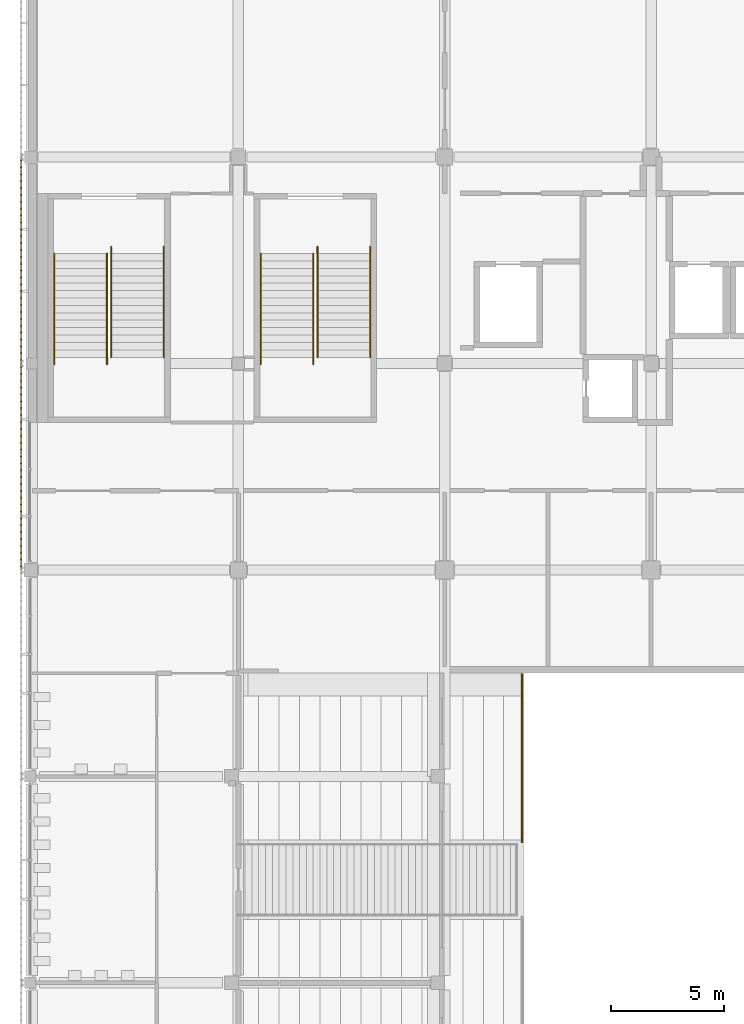
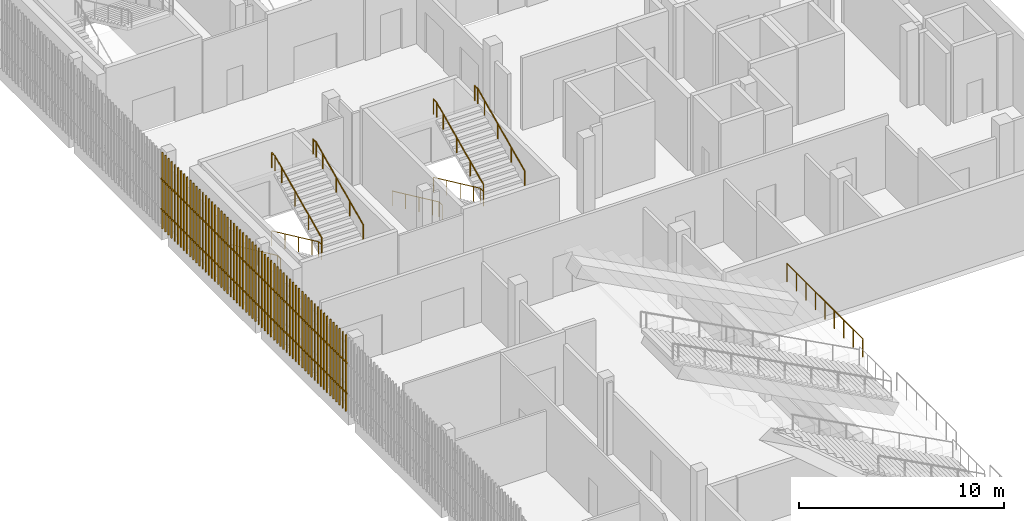
# One storey, part 122 of 139: 9 railings, 2 shading devices.
"""IFC4 building model written with IfcOpenShell, lengths in metres."""

from ifc_helpers import new_model, si_unit, direction, frame, origin, origin_2d, place, context, subcontext, project, spatial, rectangle, circle, extrude, material, type_object, element, save


model = new_model("IFC4")

# Units and contexts
model_context = context("Model", 3, precision=1e-05, world=origin(), true_north=direction((0.0, 1.0)))
body_context = subcontext(model_context, "Body", "Model", "MODEL_VIEW")
ifc_project = project(units=[si_unit("LENGTHUNIT", "METRE"), si_unit("AREAUNIT", "SQUARE_METRE"), si_unit("VOLUMEUNIT", "CUBIC_METRE"), si_unit("PLANEANGLEUNIT", "RADIAN"), si_unit("MASSUNIT", "GRAM", prefix="KILO")], contexts=[model_context])

# Site, building, storey
site_placement = place(None, origin())
site = spatial("IfcSite", under=ifc_project, at=site_placement, CompositionType="ELEMENT")
building_placement = place(site_placement, origin())
building = spatial("IfcBuilding", under=site, at=building_placement, Name="Shirokan Park Arena", CompositionType="ELEMENT")
storey_placement = place(building_placement, frame((0.0, 0.0, 15.469970703125)))
storey = spatial("IfcBuildingStorey", under=building, at=storey_placement, Name="L03", CompositionType="ELEMENT", Elevation=15.469970703125)

# Railings
ifc_material_1 = material(Name="Stainless steel", Category="steel")
railing_type_1 = type_object("IfcRailingType", Name="Crowd barrier 1100", PredefinedType="GUARDRAIL", material=ifc_material_1)
railing_1_placement = place(storey_placement, frame((21.60009765625, 60.800048828125, 2.860107421875)))
element("IfcRailing", 1, at=railing_1_placement, inside=storey, type_object=railing_type_1, Name="Crowd barrier W3 upper tier", PredefinedType="GUARDRAIL", context=body_context, shape_type="SweptSolid", body=[
    extrude(circle(Radius=0.030029296875, at=origin_2d()), frame((0.0, 0.0, 1.072021484375), z_axis=(0.0, 1.0, 0.0), x_axis=(-1.0, 0.0, 0.0)), (0.0, 0.0, 1.0), 7.39990234375),
    extrude(circle(Radius=0.030029296875, at=origin_2d()), origin(), (0.0, 0.0, 1.0), 1.0419921875),
    extrude(circle(Radius=0.030029296875, at=origin_2d()), frame((0.0, 0.925048828125, 0.0)), (0.0, 0.0, 1.0), 1.0419921875),
    extrude(circle(Radius=0.030029296875, at=origin_2d()), frame((0.0, 1.85009765625, 0.0)), (0.0, 0.0, 1.0), 1.0419921875),
    extrude(circle(Radius=0.030029296875, at=origin_2d()), frame((0.0, 2.77490234375, 0.0)), (0.0, 0.0, 1.0), 1.0419921875),
    extrude(circle(Radius=0.030029296875, at=origin_2d()), frame((0.0, 3.699951171875, 0.0)), (0.0, 0.0, 1.0), 1.0419921875),
    extrude(circle(Radius=0.030029296875, at=origin_2d()), frame((0.0, 4.625, 0.0)), (0.0, 0.0, 1.0), 1.0419921875),
    extrude(circle(Radius=0.030029296875, at=origin_2d()), frame((0.0, 5.5498046875, 0.0)), (0.0, 0.0, 1.0), 1.0419921875),
    extrude(circle(Radius=0.030029296875, at=origin_2d()), frame((0.0, 6.474853515625, 0.0)), (0.0, 0.0, 1.0), 1.0419921875),
    extrude(circle(Radius=0.030029296875, at=origin_2d()), frame((0.0, 7.39990234375, 0.0)), (0.0, 0.0, 1.0), 1.0419921875),
])
railing_type_2 = type_object("IfcRailingType", Name="Stair handrail 900", PredefinedType="HANDRAIL", material=ifc_material_1)
railing_2_placement = place(storey_placement, frame((0.989990234375, 86.75, 0.151611328125)))
element("IfcRailing", 2, at=railing_2_placement, inside=storey, type_object=railing_type_2, Name="Handrail Exit Stair 4.E L03 to L04", PredefinedType="HANDRAIL", context=body_context, shape_type="SweptSolid", body=[
    extrude(circle(Radius=0.02392578125, at=origin_2d()), frame((0.0, 0.0, 0.8759765625), z_axis=(0.0, -0.907029769225, 0.421066500378), x_axis=(1.0, 0.0, 0.0)), (0.0, 0.0, 1.0), 1.44091796875),
    extrude(circle(Radius=0.02392578125, at=origin_2d()), frame((0.0, -1.306884765625, 1.482421875), z_axis=(0.0, -0.906999720516, 0.421131222998), x_axis=(1.0, 0.0, 0.0)), (0.0, 0.0, 1.0), 1.440673828125),
    extrude(circle(Radius=0.02392578125, at=origin_2d()), frame((0.0, -2.613525390625, 2.08935546875), z_axis=(0.0, -0.907029769225, 0.421066500378), x_axis=(1.0, 0.0, 0.0)), (0.0, 0.0, 1.0), 1.44091796875),
    extrude(circle(Radius=0.02392578125, at=origin_2d()), frame((0.0, -3.92041015625, 2.69580078125), z_axis=(0.0, -0.906934982928, 0.421270621741), x_axis=(1.0, 0.0, 0.0)), (0.0, 0.0, 1.0), 0.720458984375),
    extrude(circle(Radius=0.02392578125, at=origin_2d()), frame((0.0, -4.57373046875, 2.99951171875), z_axis=(0.0, -1.0, 0.0), x_axis=(1.0, 0.0, 0.0)), (0.0, 0.0, 1.0), 0.300048828125),
    extrude(circle(Radius=0.02099609375, at=origin_2d()), origin(), (0.0, 0.0, 1.0), 0.851806640625),
    extrude(circle(Radius=0.02099609375, at=origin_2d()), frame((0.0, -1.306884765625, 0.606689453125)), (0.0, 0.0, 1.0), 0.851806640625),
    extrude(circle(Radius=0.02099609375, at=origin_2d()), frame((0.0, -2.613525390625, 1.21337890625)), (0.0, 0.0, 1.0), 0.851806640625),
    extrude(circle(Radius=0.02099609375, at=origin_2d()), frame((0.0, -3.92041015625, 1.820068359375)), (0.0, 0.0, 1.0), 0.851806640625),
    extrude(circle(Radius=0.02099609375, at=origin_2d()), frame((0.0, -4.57373046875, 2.12353515625)), (0.0, 0.0, 1.0), 0.851806640625),
    extrude(circle(Radius=0.02099609375, at=origin_2d()), frame((0.0, -4.873779296875, 2.12353515625)), (0.0, 0.0, 1.0), 0.851806640625),
])
railing_3_placement = place(storey_placement, frame((3.31005859375, 86.75, 0.151611328125)))
element("IfcRailing", 3, at=railing_3_placement, inside=storey, type_object=railing_type_2, Name="Handrail Exit Stair 4.E L03 to L04", PredefinedType="HANDRAIL", context=body_context, shape_type="SweptSolid", body=[
    extrude(circle(Radius=0.02392578125, at=origin_2d()), frame((0.0, 0.0, 0.8759765625), z_axis=(0.0, -0.907029769225, 0.421066500378), x_axis=(1.0, 0.0, 0.0)), (0.0, 0.0, 1.0), 1.44091796875),
    extrude(circle(Radius=0.02392578125, at=origin_2d()), frame((0.0, -1.306884765625, 1.482421875), z_axis=(0.0, -0.906999720516, 0.421131222998), x_axis=(1.0, 0.0, 0.0)), (0.0, 0.0, 1.0), 1.440673828125),
    extrude(circle(Radius=0.02392578125, at=origin_2d()), frame((0.0, -2.613525390625, 2.08935546875), z_axis=(0.0, -0.907029769225, 0.421066500378), x_axis=(1.0, 0.0, 0.0)), (0.0, 0.0, 1.0), 1.44091796875),
    extrude(circle(Radius=0.02392578125, at=origin_2d()), frame((0.0, -3.92041015625, 2.69580078125), z_axis=(0.0, -0.906934982928, 0.421270621741), x_axis=(1.0, 0.0, 0.0)), (0.0, 0.0, 1.0), 0.720458984375),
    extrude(circle(Radius=0.02392578125, at=origin_2d()), frame((0.0, -4.57373046875, 2.99951171875), z_axis=(0.0, -1.0, 0.0), x_axis=(1.0, 0.0, 0.0)), (0.0, 0.0, 1.0), 0.300048828125),
    extrude(circle(Radius=0.02099609375, at=origin_2d()), origin(), (0.0, 0.0, 1.0), 0.851806640625),
    extrude(circle(Radius=0.02099609375, at=origin_2d()), frame((0.0, -1.306884765625, 0.606689453125)), (0.0, 0.0, 1.0), 0.851806640625),
    extrude(circle(Radius=0.02099609375, at=origin_2d()), frame((0.0, -2.613525390625, 1.21337890625)), (0.0, 0.0, 1.0), 0.851806640625),
    extrude(circle(Radius=0.02099609375, at=origin_2d()), frame((0.0, -3.92041015625, 1.820068359375)), (0.0, 0.0, 1.0), 0.851806640625),
    extrude(circle(Radius=0.02099609375, at=origin_2d()), frame((0.0, -4.57373046875, 2.12353515625)), (0.0, 0.0, 1.0), 0.851806640625),
    extrude(circle(Radius=0.02099609375, at=origin_2d()), frame((0.0, -4.873779296875, 2.12353515625)), (0.0, 0.0, 1.0), 0.851806640625),
])
railing_4_placement = place(storey_placement, frame((3.489990234375, 82.17626953125, 2.4267578125)))
element("IfcRailing", 4, at=railing_4_placement, inside=storey, type_object=railing_type_2, Name="Handrail Exit Stair 4.E L03 to L04", PredefinedType="HANDRAIL", context=body_context, shape_type="SweptSolid", body=[
    extrude(circle(Radius=0.02392578125, at=origin_2d()), frame((0.0, 0.0, 0.8759765625), z_axis=(0.0, 0.906999720516, 0.421131222998), x_axis=(-1.0, 0.0, 0.0)), (0.0, 0.0, 1.0), 1.440673828125),
    extrude(circle(Radius=0.02392578125, at=origin_2d()), frame((0.0, 1.306640625, 1.482421875), z_axis=(0.0, 0.907029769225, 0.421066500378), x_axis=(-1.0, 0.0, 0.0)), (0.0, 0.0, 1.0), 1.44091796875),
    extrude(circle(Radius=0.02392578125, at=origin_2d()), frame((0.0, 2.613525390625, 2.08935546875), z_axis=(0.0, 0.907094476872, 0.420927083981), x_axis=(-1.0, 0.0, 0.0)), (0.0, 0.0, 1.0), 1.440673828125),
    extrude(circle(Radius=0.02392578125, at=origin_2d()), frame((0.0, 3.92041015625, 2.69580078125), z_axis=(0.0, 0.906934982928, 0.421270621741), x_axis=(-1.0, 0.0, 0.0)), (0.0, 0.0, 1.0), 0.720458984375),
    extrude(circle(Radius=0.02392578125, at=origin_2d()), frame((0.0, 4.57373046875, 2.9990234375), z_axis=(0.0, 1.0, 0.0), x_axis=(-1.0, 0.0, 0.0)), (0.0, 0.0, 1.0), 0.300048828125),
    extrude(circle(Radius=0.02099609375, at=origin_2d()), origin(), (0.0, 0.0, 1.0), 0.851806640625),
    extrude(circle(Radius=0.02099609375, at=origin_2d()), frame((0.0, 1.306640625, 0.606689453125)), (0.0, 0.0, 1.0), 0.851806640625),
    extrude(circle(Radius=0.02099609375, at=origin_2d()), frame((0.0, 2.613525390625, 1.21337890625)), (0.0, 0.0, 1.0), 0.851806640625),
    extrude(circle(Radius=0.02099609375, at=origin_2d()), frame((0.0, 3.92041015625, 1.81982421875)), (0.0, 0.0, 1.0), 0.851806640625),
    extrude(circle(Radius=0.02099609375, at=origin_2d()), frame((0.0, 4.57373046875, 2.123291015625)), (0.0, 0.0, 1.0), 0.851806640625),
    extrude(circle(Radius=0.02099609375, at=origin_2d()), frame((0.0, 4.873779296875, 2.123291015625)), (0.0, 0.0, 1.0), 0.851806640625),
])
railing_5_placement = place(storey_placement, frame((5.81005859375, 82.17626953125, 2.4267578125)))
element("IfcRailing", 5, at=railing_5_placement, inside=storey, type_object=railing_type_2, Name="Handrail Exit Stair 4.E L03 to L04", PredefinedType="HANDRAIL", context=body_context, shape_type="SweptSolid", body=[
    extrude(circle(Radius=0.02392578125, at=origin_2d()), frame((0.0, 0.0, 0.8759765625), z_axis=(0.0, 0.906999720516, 0.421131222998), x_axis=(-1.0, 0.0, 0.0)), (0.0, 0.0, 1.0), 1.440673828125),
    extrude(circle(Radius=0.02392578125, at=origin_2d()), frame((0.0, 1.306640625, 1.482421875), z_axis=(0.0, 0.907029769225, 0.421066500378), x_axis=(-1.0, 0.0, 0.0)), (0.0, 0.0, 1.0), 1.44091796875),
    extrude(circle(Radius=0.02392578125, at=origin_2d()), frame((0.0, 2.613525390625, 2.08935546875), z_axis=(0.0, 0.907094476872, 0.420927083981), x_axis=(-1.0, 0.0, 0.0)), (0.0, 0.0, 1.0), 1.440673828125),
    extrude(circle(Radius=0.02392578125, at=origin_2d()), frame((0.0, 3.92041015625, 2.69580078125), z_axis=(0.0, 0.906934982928, 0.421270621741), x_axis=(-1.0, 0.0, 0.0)), (0.0, 0.0, 1.0), 0.720458984375),
    extrude(circle(Radius=0.02392578125, at=origin_2d()), frame((0.0, 4.57373046875, 2.9990234375), z_axis=(0.0, 1.0, 0.0), x_axis=(-1.0, 0.0, 0.0)), (0.0, 0.0, 1.0), 0.300048828125),
    extrude(circle(Radius=0.02099609375, at=origin_2d()), origin(), (0.0, 0.0, 1.0), 0.851806640625),
    extrude(circle(Radius=0.02099609375, at=origin_2d()), frame((0.0, 1.306640625, 0.606689453125)), (0.0, 0.0, 1.0), 0.851806640625),
    extrude(circle(Radius=0.02099609375, at=origin_2d()), frame((0.0, 2.613525390625, 1.21337890625)), (0.0, 0.0, 1.0), 0.851806640625),
    extrude(circle(Radius=0.02099609375, at=origin_2d()), frame((0.0, 3.92041015625, 1.81982421875)), (0.0, 0.0, 1.0), 0.851806640625),
    extrude(circle(Radius=0.02099609375, at=origin_2d()), frame((0.0, 4.57373046875, 2.123291015625)), (0.0, 0.0, 1.0), 0.851806640625),
    extrude(circle(Radius=0.02099609375, at=origin_2d()), frame((0.0, 4.873779296875, 2.123291015625)), (0.0, 0.0, 1.0), 0.851806640625),
])
railing_6_placement = place(storey_placement, frame((10.090087890625, 86.75, 0.151611328125)))
element("IfcRailing", 6, at=railing_6_placement, inside=storey, type_object=railing_type_2, Name="Handrail Exit Stair 4.F L03 to L04", PredefinedType="HANDRAIL", context=body_context, shape_type="SweptSolid", body=[
    extrude(circle(Radius=0.02392578125, at=origin_2d()), frame((0.0, 0.0, 0.8759765625), z_axis=(0.0, -0.907029769225, 0.421066500378), x_axis=(1.0, 0.0, 0.0)), (0.0, 0.0, 1.0), 1.44091796875),
    extrude(circle(Radius=0.02392578125, at=origin_2d()), frame((0.0, -1.306884765625, 1.482421875), z_axis=(0.0, -0.906999720516, 0.421131222998), x_axis=(1.0, 0.0, 0.0)), (0.0, 0.0, 1.0), 1.440673828125),
    extrude(circle(Radius=0.02392578125, at=origin_2d()), frame((0.0, -2.613525390625, 2.08935546875), z_axis=(0.0, -0.907029769225, 0.421066500378), x_axis=(1.0, 0.0, 0.0)), (0.0, 0.0, 1.0), 1.44091796875),
    extrude(circle(Radius=0.02392578125, at=origin_2d()), frame((0.0, -3.92041015625, 2.69580078125), z_axis=(0.0, -0.906934982928, 0.421270621741), x_axis=(1.0, 0.0, 0.0)), (0.0, 0.0, 1.0), 0.720458984375),
    extrude(circle(Radius=0.02392578125, at=origin_2d()), frame((0.0, -4.57373046875, 2.99951171875), z_axis=(0.0, -1.0, 0.0), x_axis=(1.0, 0.0, 0.0)), (0.0, 0.0, 1.0), 0.300048828125),
    extrude(circle(Radius=0.02099609375, at=origin_2d()), origin(), (0.0, 0.0, 1.0), 0.851806640625),
    extrude(circle(Radius=0.02099609375, at=origin_2d()), frame((0.0, -1.306884765625, 0.606689453125)), (0.0, 0.0, 1.0), 0.851806640625),
    extrude(circle(Radius=0.02099609375, at=origin_2d()), frame((0.0, -2.613525390625, 1.21337890625)), (0.0, 0.0, 1.0), 0.851806640625),
    extrude(circle(Radius=0.02099609375, at=origin_2d()), frame((0.0, -3.92041015625, 1.820068359375)), (0.0, 0.0, 1.0), 0.851806640625),
    extrude(circle(Radius=0.02099609375, at=origin_2d()), frame((0.0, -4.57373046875, 2.12353515625)), (0.0, 0.0, 1.0), 0.851806640625),
    extrude(circle(Radius=0.02099609375, at=origin_2d()), frame((0.0, -4.873779296875, 2.12353515625)), (0.0, 0.0, 1.0), 0.851806640625),
])
railing_7_placement = place(storey_placement, frame((12.409912109375, 86.75, 0.151611328125)))
element("IfcRailing", 7, at=railing_7_placement, inside=storey, type_object=railing_type_2, Name="Handrail Exit Stair 4.F L03 to L04", PredefinedType="HANDRAIL", context=body_context, shape_type="SweptSolid", body=[
    extrude(circle(Radius=0.02392578125, at=origin_2d()), frame((0.0, 0.0, 0.8759765625), z_axis=(0.0, -0.907029769225, 0.421066500378), x_axis=(1.0, 0.0, 0.0)), (0.0, 0.0, 1.0), 1.44091796875),
    extrude(circle(Radius=0.02392578125, at=origin_2d()), frame((0.0, -1.306884765625, 1.482421875), z_axis=(0.0, -0.906999720516, 0.421131222998), x_axis=(1.0, 0.0, 0.0)), (0.0, 0.0, 1.0), 1.440673828125),
    extrude(circle(Radius=0.02392578125, at=origin_2d()), frame((0.0, -2.613525390625, 2.08935546875), z_axis=(0.0, -0.907029769225, 0.421066500378), x_axis=(1.0, 0.0, 0.0)), (0.0, 0.0, 1.0), 1.44091796875),
    extrude(circle(Radius=0.02392578125, at=origin_2d()), frame((0.0, -3.92041015625, 2.69580078125), z_axis=(0.0, -0.906934982928, 0.421270621741), x_axis=(1.0, 0.0, 0.0)), (0.0, 0.0, 1.0), 0.720458984375),
    extrude(circle(Radius=0.02392578125, at=origin_2d()), frame((0.0, -4.57373046875, 2.99951171875), z_axis=(0.0, -1.0, 0.0), x_axis=(1.0, 0.0, 0.0)), (0.0, 0.0, 1.0), 0.300048828125),
    extrude(circle(Radius=0.02099609375, at=origin_2d()), origin(), (0.0, 0.0, 1.0), 0.851806640625),
    extrude(circle(Radius=0.02099609375, at=origin_2d()), frame((0.0, -1.306884765625, 0.606689453125)), (0.0, 0.0, 1.0), 0.851806640625),
    extrude(circle(Radius=0.02099609375, at=origin_2d()), frame((0.0, -2.613525390625, 1.21337890625)), (0.0, 0.0, 1.0), 0.851806640625),
    extrude(circle(Radius=0.02099609375, at=origin_2d()), frame((0.0, -3.92041015625, 1.820068359375)), (0.0, 0.0, 1.0), 0.851806640625),
    extrude(circle(Radius=0.02099609375, at=origin_2d()), frame((0.0, -4.57373046875, 2.12353515625)), (0.0, 0.0, 1.0), 0.851806640625),
    extrude(circle(Radius=0.02099609375, at=origin_2d()), frame((0.0, -4.873779296875, 2.12353515625)), (0.0, 0.0, 1.0), 0.851806640625),
])
railing_8_placement = place(storey_placement, frame((12.590087890625, 82.17626953125, 2.4267578125)))
element("IfcRailing", 8, at=railing_8_placement, inside=storey, type_object=railing_type_2, Name="Handrail Exit Stair 4.F L03 to L04", PredefinedType="HANDRAIL", context=body_context, shape_type="SweptSolid", body=[
    extrude(circle(Radius=0.02392578125, at=origin_2d()), frame((0.0, 0.0, 0.8759765625), z_axis=(0.0, 0.906999720516, 0.421131222998), x_axis=(-1.0, 0.0, 0.0)), (0.0, 0.0, 1.0), 1.440673828125),
    extrude(circle(Radius=0.02392578125, at=origin_2d()), frame((0.0, 1.306640625, 1.482421875), z_axis=(0.0, 0.907029769225, 0.421066500378), x_axis=(-1.0, 0.0, 0.0)), (0.0, 0.0, 1.0), 1.44091796875),
    extrude(circle(Radius=0.02392578125, at=origin_2d()), frame((0.0, 2.613525390625, 2.08935546875), z_axis=(0.0, 0.907094476872, 0.420927083981), x_axis=(-1.0, 0.0, 0.0)), (0.0, 0.0, 1.0), 1.440673828125),
    extrude(circle(Radius=0.02392578125, at=origin_2d()), frame((0.0, 3.92041015625, 2.69580078125), z_axis=(0.0, 0.906934982928, 0.421270621741), x_axis=(-1.0, 0.0, 0.0)), (0.0, 0.0, 1.0), 0.720458984375),
    extrude(circle(Radius=0.02392578125, at=origin_2d()), frame((0.0, 4.57373046875, 2.9990234375), z_axis=(0.0, 1.0, 0.0), x_axis=(-1.0, 0.0, 0.0)), (0.0, 0.0, 1.0), 0.300048828125),
    extrude(circle(Radius=0.02099609375, at=origin_2d()), origin(), (0.0, 0.0, 1.0), 0.851806640625),
    extrude(circle(Radius=0.02099609375, at=origin_2d()), frame((0.0, 1.306640625, 0.606689453125)), (0.0, 0.0, 1.0), 0.851806640625),
    extrude(circle(Radius=0.02099609375, at=origin_2d()), frame((0.0, 2.613525390625, 1.21337890625)), (0.0, 0.0, 1.0), 0.851806640625),
    extrude(circle(Radius=0.02099609375, at=origin_2d()), frame((0.0, 3.92041015625, 1.81982421875)), (0.0, 0.0, 1.0), 0.851806640625),
    extrude(circle(Radius=0.02099609375, at=origin_2d()), frame((0.0, 4.57373046875, 2.123291015625)), (0.0, 0.0, 1.0), 0.851806640625),
    extrude(circle(Radius=0.02099609375, at=origin_2d()), frame((0.0, 4.873779296875, 2.123291015625)), (0.0, 0.0, 1.0), 0.851806640625),
])
railing_9_placement = place(storey_placement, frame((14.909912109375, 82.17626953125, 2.4267578125)))
element("IfcRailing", 9, at=railing_9_placement, inside=storey, type_object=railing_type_2, Name="Handrail Exit Stair 4.F L03 to L04", PredefinedType="HANDRAIL", context=body_context, shape_type="SweptSolid", body=[
    extrude(circle(Radius=0.02392578125, at=origin_2d()), frame((0.0, 0.0, 0.8759765625), z_axis=(0.0, 0.906999720516, 0.421131222998), x_axis=(-1.0, 0.0, 0.0)), (0.0, 0.0, 1.0), 1.440673828125),
    extrude(circle(Radius=0.02392578125, at=origin_2d()), frame((0.0, 1.306640625, 1.482421875), z_axis=(0.0, 0.907029769225, 0.421066500378), x_axis=(-1.0, 0.0, 0.0)), (0.0, 0.0, 1.0), 1.44091796875),
    extrude(circle(Radius=0.02392578125, at=origin_2d()), frame((0.0, 2.613525390625, 2.08935546875), z_axis=(0.0, 0.907094476872, 0.420927083981), x_axis=(-1.0, 0.0, 0.0)), (0.0, 0.0, 1.0), 1.440673828125),
    extrude(circle(Radius=0.02392578125, at=origin_2d()), frame((0.0, 3.92041015625, 2.69580078125), z_axis=(0.0, 0.906934982928, 0.421270621741), x_axis=(-1.0, 0.0, 0.0)), (0.0, 0.0, 1.0), 0.720458984375),
    extrude(circle(Radius=0.02392578125, at=origin_2d()), frame((0.0, 4.57373046875, 2.9990234375), z_axis=(0.0, 1.0, 0.0), x_axis=(-1.0, 0.0, 0.0)), (0.0, 0.0, 1.0), 0.300048828125),
    extrude(circle(Radius=0.02099609375, at=origin_2d()), origin(), (0.0, 0.0, 1.0), 0.851806640625),
    extrude(circle(Radius=0.02099609375, at=origin_2d()), frame((0.0, 1.306640625, 0.606689453125)), (0.0, 0.0, 1.0), 0.851806640625),
    extrude(circle(Radius=0.02099609375, at=origin_2d()), frame((0.0, 2.613525390625, 1.21337890625)), (0.0, 0.0, 1.0), 0.851806640625),
    extrude(circle(Radius=0.02099609375, at=origin_2d()), frame((0.0, 3.92041015625, 1.81982421875)), (0.0, 0.0, 1.0), 0.851806640625),
    extrude(circle(Radius=0.02099609375, at=origin_2d()), frame((0.0, 4.57373046875, 2.123291015625)), (0.0, 0.0, 1.0), 0.851806640625),
    extrude(circle(Radius=0.02099609375, at=origin_2d()), frame((0.0, 4.873779296875, 2.123291015625)), (0.0, 0.0, 1.0), 0.851806640625),
])

# Shading devices
ifc_material_2 = material(Name="Timber louvre veil (cedar)", Category="wood")
shading_device_type = type_object("IfcShadingDeviceType", Name="Timber louvre veil panel", PredefinedType="JALOUSIE", material=ifc_material_2)
shading_device_1_placement = place(storey_placement, origin())
element("IfcShadingDevice", 10, at=shading_device_1_placement, inside=storey, type_object=shading_device_type, Name="Timber louvre veil west bay 3 L03", PredefinedType="JALOUSIE", context=body_context, shape_type="SweptSolid", body=[
    extrude(rectangle(XDim=0.050048828125, YDim=0.080078125, at=origin_2d()), frame((-0.485107421875, 90.848388671875, 0.0), z_axis=(0.0, 0.0, 1.0), x_axis=(0.0, -1.0, 0.0)), (0.0, 0.0, 1.0), 4.550048828125),
    extrude(rectangle(XDim=0.050048828125, YDim=0.080078125, at=origin_2d()), frame((-0.485107421875, 90.544921875, 0.0), z_axis=(0.0, 0.0, 1.0), x_axis=(0.0, -1.0, 0.0)), (0.0, 0.0, 1.0), 4.550048828125),
    extrude(rectangle(XDim=0.050048828125, YDim=0.080078125, at=origin_2d()), frame((-0.485107421875, 90.24169921875, 0.0), z_axis=(0.0, 0.0, 1.0), x_axis=(0.0, -1.0, 0.0)), (0.0, 0.0, 1.0), 4.550048828125),
    extrude(rectangle(XDim=0.050048828125, YDim=0.080078125, at=origin_2d()), frame((-0.485107421875, 89.938232421875, 0.0), z_axis=(0.0, 0.0, 1.0), x_axis=(0.0, -1.0, 0.0)), (0.0, 0.0, 1.0), 4.550048828125),
    extrude(rectangle(XDim=0.050048828125, YDim=0.080078125, at=origin_2d()), frame((-0.485107421875, 89.635009765625, 0.0), z_axis=(0.0, 0.0, 1.0), x_axis=(0.0, -1.0, 0.0)), (0.0, 0.0, 1.0), 4.550048828125),
    extrude(rectangle(XDim=0.050048828125, YDim=0.080078125, at=origin_2d()), frame((-0.485107421875, 89.331787109375, 0.0), z_axis=(0.0, 0.0, 1.0), x_axis=(0.0, -1.0, 0.0)), (0.0, 0.0, 1.0), 4.550048828125),
    extrude(rectangle(XDim=0.050048828125, YDim=0.080078125, at=origin_2d()), frame((-0.485107421875, 89.0283203125, 0.0), z_axis=(0.0, 0.0, 1.0), x_axis=(0.0, -1.0, 0.0)), (0.0, 0.0, 1.0), 4.550048828125),
    extrude(rectangle(XDim=0.050048828125, YDim=0.080078125, at=origin_2d()), frame((-0.485107421875, 88.72509765625, 0.0), z_axis=(0.0, 0.0, 1.0), x_axis=(0.0, -1.0, 0.0)), (0.0, 0.0, 1.0), 4.550048828125),
    extrude(rectangle(XDim=0.050048828125, YDim=0.080078125, at=origin_2d()), frame((-0.485107421875, 88.421630859375, 0.0), z_axis=(0.0, 0.0, 1.0), x_axis=(0.0, -1.0, 0.0)), (0.0, 0.0, 1.0), 4.550048828125),
    extrude(rectangle(XDim=0.050048828125, YDim=0.080078125, at=origin_2d()), frame((-0.485107421875, 88.118408203125, 0.0), z_axis=(0.0, 0.0, 1.0), x_axis=(0.0, -1.0, 0.0)), (0.0, 0.0, 1.0), 4.550048828125),
    extrude(rectangle(XDim=0.050048828125, YDim=0.080078125, at=origin_2d()), frame((-0.485107421875, 87.81494140625, 0.0), z_axis=(0.0, 0.0, 1.0), x_axis=(0.0, -1.0, 0.0)), (0.0, 0.0, 1.0), 4.550048828125),
    extrude(rectangle(XDim=0.050048828125, YDim=0.080078125, at=origin_2d()), frame((-0.485107421875, 87.51171875, 0.0), z_axis=(0.0, 0.0, 1.0), x_axis=(0.0, -1.0, 0.0)), (0.0, 0.0, 1.0), 4.550048828125),
    extrude(rectangle(XDim=0.050048828125, YDim=0.080078125, at=origin_2d()), frame((-0.485107421875, 87.208251953125, 0.0), z_axis=(0.0, 0.0, 1.0), x_axis=(0.0, -1.0, 0.0)), (0.0, 0.0, 1.0), 4.550048828125),
    extrude(rectangle(XDim=0.050048828125, YDim=0.080078125, at=origin_2d()), frame((-0.485107421875, 86.905029296875, 0.0), z_axis=(0.0, 0.0, 1.0), x_axis=(0.0, -1.0, 0.0)), (0.0, 0.0, 1.0), 4.550048828125),
    extrude(rectangle(XDim=0.050048828125, YDim=0.080078125, at=origin_2d()), frame((-0.485107421875, 86.6015625, 0.0), z_axis=(0.0, 0.0, 1.0), x_axis=(0.0, -1.0, 0.0)), (0.0, 0.0, 1.0), 4.550048828125),
    extrude(rectangle(XDim=0.050048828125, YDim=0.080078125, at=origin_2d()), frame((-0.485107421875, 86.29833984375, 0.0), z_axis=(0.0, 0.0, 1.0), x_axis=(0.0, -1.0, 0.0)), (0.0, 0.0, 1.0), 4.550048828125),
    extrude(rectangle(XDim=0.050048828125, YDim=0.080078125, at=origin_2d()), frame((-0.485107421875, 85.9951171875, 0.0), z_axis=(0.0, 0.0, 1.0), x_axis=(0.0, -1.0, 0.0)), (0.0, 0.0, 1.0), 4.550048828125),
    extrude(rectangle(XDim=0.050048828125, YDim=0.080078125, at=origin_2d()), frame((-0.485107421875, 85.691650390625, 0.0), z_axis=(0.0, 0.0, 1.0), x_axis=(0.0, -1.0, 0.0)), (0.0, 0.0, 1.0), 4.550048828125),
    extrude(rectangle(XDim=0.050048828125, YDim=0.080078125, at=origin_2d()), frame((-0.485107421875, 85.388427734375, 0.0), z_axis=(0.0, 0.0, 1.0), x_axis=(0.0, -1.0, 0.0)), (0.0, 0.0, 1.0), 4.550048828125),
    extrude(rectangle(XDim=0.050048828125, YDim=0.080078125, at=origin_2d()), frame((-0.485107421875, 85.0849609375, 0.0), z_axis=(0.0, 0.0, 1.0), x_axis=(0.0, -1.0, 0.0)), (0.0, 0.0, 1.0), 4.550048828125),
    extrude(rectangle(XDim=0.050048828125, YDim=0.080078125, at=origin_2d()), frame((-0.485107421875, 84.78173828125, 0.0), z_axis=(0.0, 0.0, 1.0), x_axis=(0.0, -1.0, 0.0)), (0.0, 0.0, 1.0), 4.550048828125),
    extrude(rectangle(XDim=0.050048828125, YDim=0.080078125, at=origin_2d()), frame((-0.485107421875, 84.478271484375, 0.0), z_axis=(0.0, 0.0, 1.0), x_axis=(0.0, -1.0, 0.0)), (0.0, 0.0, 1.0), 4.550048828125),
    extrude(rectangle(XDim=0.050048828125, YDim=0.080078125, at=origin_2d()), frame((-0.485107421875, 84.175048828125, 0.0), z_axis=(0.0, 0.0, 1.0), x_axis=(0.0, -1.0, 0.0)), (0.0, 0.0, 1.0), 4.550048828125),
    extrude(rectangle(XDim=0.050048828125, YDim=0.080078125, at=origin_2d()), frame((-0.485107421875, 83.87158203125, 0.0), z_axis=(0.0, 0.0, 1.0), x_axis=(0.0, -1.0, 0.0)), (0.0, 0.0, 1.0), 4.550048828125),
    extrude(rectangle(XDim=0.050048828125, YDim=0.080078125, at=origin_2d()), frame((-0.485107421875, 83.568359375, 0.0), z_axis=(0.0, 0.0, 1.0), x_axis=(0.0, -1.0, 0.0)), (0.0, 0.0, 1.0), 4.550048828125),
    extrude(rectangle(XDim=0.050048828125, YDim=0.080078125, at=origin_2d()), frame((-0.485107421875, 83.264892578125, 0.0), z_axis=(0.0, 0.0, 1.0), x_axis=(0.0, -1.0, 0.0)), (0.0, 0.0, 1.0), 4.550048828125),
    extrude(rectangle(XDim=0.050048828125, YDim=0.080078125, at=origin_2d()), frame((-0.485107421875, 82.961669921875, 0.0), z_axis=(0.0, 0.0, 1.0), x_axis=(0.0, -1.0, 0.0)), (0.0, 0.0, 1.0), 4.550048828125),
    extrude(rectangle(XDim=0.050048828125, YDim=0.080078125, at=origin_2d()), frame((-0.485107421875, 82.658447265625, 0.0), z_axis=(0.0, 0.0, 1.0), x_axis=(0.0, -1.0, 0.0)), (0.0, 0.0, 1.0), 4.550048828125),
    extrude(rectangle(XDim=0.050048828125, YDim=0.080078125, at=origin_2d()), frame((-0.485107421875, 82.35498046875, 0.0), z_axis=(0.0, 0.0, 1.0), x_axis=(0.0, -1.0, 0.0)), (0.0, 0.0, 1.0), 4.550048828125),
    extrude(rectangle(XDim=0.050048828125, YDim=0.080078125, at=origin_2d()), frame((-0.485107421875, 82.0517578125, 0.0), z_axis=(0.0, 0.0, 1.0), x_axis=(0.0, -1.0, 0.0)), (0.0, 0.0, 1.0), 4.550048828125),
    extrude(rectangle(XDim=9.10009765625, YDim=0.050048828125, at=origin_2d()), frame((-0.469970703125, 86.449951171875, 1.06005859375), z_axis=(0.0, 0.0, 1.0), x_axis=(0.0, -1.0, 0.0)), (0.0, 0.0, 1.0), 0.080078125),
    extrude(rectangle(XDim=9.10009765625, YDim=0.050048828125, at=origin_2d()), frame((-0.469970703125, 86.449951171875, 2.860107421875), z_axis=(0.0, 0.0, 1.0), x_axis=(0.0, -1.0, 0.0)), (0.0, 0.0, 1.0), 0.080078125),
])
shading_device_2_placement = place(storey_placement, origin())
element("IfcShadingDevice", 11, at=shading_device_2_placement, inside=storey, type_object=shading_device_type, Name="Timber louvre veil west bay 4 L03", PredefinedType="JALOUSIE", context=body_context, shape_type="SweptSolid", body=[
    extrude(rectangle(XDim=0.050048828125, YDim=0.080078125, at=origin_2d()), frame((-0.485107421875, 81.748291015625, 0.0), z_axis=(0.0, 0.0, 1.0), x_axis=(0.0, -1.0, 0.0)), (0.0, 0.0, 1.0), 4.550048828125),
    extrude(rectangle(XDim=0.050048828125, YDim=0.080078125, at=origin_2d()), frame((-0.485107421875, 81.445068359375, 0.0), z_axis=(0.0, 0.0, 1.0), x_axis=(0.0, -1.0, 0.0)), (0.0, 0.0, 1.0), 4.550048828125),
    extrude(rectangle(XDim=0.050048828125, YDim=0.080078125, at=origin_2d()), frame((-0.485107421875, 81.1416015625, 0.0), z_axis=(0.0, 0.0, 1.0), x_axis=(0.0, -1.0, 0.0)), (0.0, 0.0, 1.0), 4.550048828125),
    extrude(rectangle(XDim=0.050048828125, YDim=0.080078125, at=origin_2d()), frame((-0.485107421875, 80.83837890625, 0.0), z_axis=(0.0, 0.0, 1.0), x_axis=(0.0, -1.0, 0.0)), (0.0, 0.0, 1.0), 4.550048828125),
    extrude(rectangle(XDim=0.050048828125, YDim=0.080078125, at=origin_2d()), frame((-0.485107421875, 80.534912109375, 0.0), z_axis=(0.0, 0.0, 1.0), x_axis=(0.0, -1.0, 0.0)), (0.0, 0.0, 1.0), 4.550048828125),
    extrude(rectangle(XDim=0.050048828125, YDim=0.080078125, at=origin_2d()), frame((-0.485107421875, 80.231689453125, 0.0), z_axis=(0.0, 0.0, 1.0), x_axis=(0.0, -1.0, 0.0)), (0.0, 0.0, 1.0), 4.550048828125),
    extrude(rectangle(XDim=0.050048828125, YDim=0.080078125, at=origin_2d()), frame((-0.485107421875, 79.92822265625, 0.0), z_axis=(0.0, 0.0, 1.0), x_axis=(0.0, -1.0, 0.0)), (0.0, 0.0, 1.0), 4.550048828125),
    extrude(rectangle(XDim=0.050048828125, YDim=0.080078125, at=origin_2d()), frame((-0.485107421875, 79.625, 0.0), z_axis=(0.0, 0.0, 1.0), x_axis=(0.0, -1.0, 0.0)), (0.0, 0.0, 1.0), 4.550048828125),
    extrude(rectangle(XDim=0.050048828125, YDim=0.080078125, at=origin_2d()), frame((-0.485107421875, 79.32177734375, 0.0), z_axis=(0.0, 0.0, 1.0), x_axis=(0.0, -1.0, 0.0)), (0.0, 0.0, 1.0), 4.550048828125),
    extrude(rectangle(XDim=0.050048828125, YDim=0.080078125, at=origin_2d()), frame((-0.485107421875, 79.018310546875, 0.0), z_axis=(0.0, 0.0, 1.0), x_axis=(0.0, -1.0, 0.0)), (0.0, 0.0, 1.0), 4.550048828125),
    extrude(rectangle(XDim=0.050048828125, YDim=0.080078125, at=origin_2d()), frame((-0.485107421875, 78.715087890625, 0.0), z_axis=(0.0, 0.0, 1.0), x_axis=(0.0, -1.0, 0.0)), (0.0, 0.0, 1.0), 4.550048828125),
    extrude(rectangle(XDim=0.050048828125, YDim=0.080078125, at=origin_2d()), frame((-0.485107421875, 78.41162109375, 0.0), z_axis=(0.0, 0.0, 1.0), x_axis=(0.0, -1.0, 0.0)), (0.0, 0.0, 1.0), 4.550048828125),
    extrude(rectangle(XDim=0.050048828125, YDim=0.080078125, at=origin_2d()), frame((-0.485107421875, 78.1083984375, 0.0), z_axis=(0.0, 0.0, 1.0), x_axis=(0.0, -1.0, 0.0)), (0.0, 0.0, 1.0), 4.550048828125),
    extrude(rectangle(XDim=0.050048828125, YDim=0.080078125, at=origin_2d()), frame((-0.485107421875, 77.804931640625, 0.0), z_axis=(0.0, 0.0, 1.0), x_axis=(0.0, -1.0, 0.0)), (0.0, 0.0, 1.0), 4.550048828125),
    extrude(rectangle(XDim=0.050048828125, YDim=0.080078125, at=origin_2d()), frame((-0.485107421875, 77.501708984375, 0.0), z_axis=(0.0, 0.0, 1.0), x_axis=(0.0, -1.0, 0.0)), (0.0, 0.0, 1.0), 4.550048828125),
    extrude(rectangle(XDim=0.050048828125, YDim=0.080078125, at=origin_2d()), frame((-0.485107421875, 77.1982421875, 0.0), z_axis=(0.0, 0.0, 1.0), x_axis=(0.0, -1.0, 0.0)), (0.0, 0.0, 1.0), 4.550048828125),
    extrude(rectangle(XDim=0.050048828125, YDim=0.080078125, at=origin_2d()), frame((-0.485107421875, 76.89501953125, 0.0), z_axis=(0.0, 0.0, 1.0), x_axis=(0.0, -1.0, 0.0)), (0.0, 0.0, 1.0), 4.550048828125),
    extrude(rectangle(XDim=0.050048828125, YDim=0.080078125, at=origin_2d()), frame((-0.485107421875, 76.591552734375, 0.0), z_axis=(0.0, 0.0, 1.0), x_axis=(0.0, -1.0, 0.0)), (0.0, 0.0, 1.0), 4.550048828125),
    extrude(rectangle(XDim=0.050048828125, YDim=0.080078125, at=origin_2d()), frame((-0.485107421875, 76.288330078125, 0.0), z_axis=(0.0, 0.0, 1.0), x_axis=(0.0, -1.0, 0.0)), (0.0, 0.0, 1.0), 4.550048828125),
    extrude(rectangle(XDim=0.050048828125, YDim=0.080078125, at=origin_2d()), frame((-0.485107421875, 75.985107421875, 0.0), z_axis=(0.0, 0.0, 1.0), x_axis=(0.0, -1.0, 0.0)), (0.0, 0.0, 1.0), 4.550048828125),
    extrude(rectangle(XDim=0.050048828125, YDim=0.080078125, at=origin_2d()), frame((-0.485107421875, 75.681640625, 0.0), z_axis=(0.0, 0.0, 1.0), x_axis=(0.0, -1.0, 0.0)), (0.0, 0.0, 1.0), 4.550048828125),
    extrude(rectangle(XDim=0.050048828125, YDim=0.080078125, at=origin_2d()), frame((-0.485107421875, 75.37841796875, 0.0), z_axis=(0.0, 0.0, 1.0), x_axis=(0.0, -1.0, 0.0)), (0.0, 0.0, 1.0), 4.550048828125),
    extrude(rectangle(XDim=0.050048828125, YDim=0.080078125, at=origin_2d()), frame((-0.485107421875, 75.074951171875, 0.0), z_axis=(0.0, 0.0, 1.0), x_axis=(0.0, -1.0, 0.0)), (0.0, 0.0, 1.0), 4.550048828125),
    extrude(rectangle(XDim=0.050048828125, YDim=0.080078125, at=origin_2d()), frame((-0.485107421875, 74.771728515625, 0.0), z_axis=(0.0, 0.0, 1.0), x_axis=(0.0, -1.0, 0.0)), (0.0, 0.0, 1.0), 4.550048828125),
    extrude(rectangle(XDim=0.050048828125, YDim=0.080078125, at=origin_2d()), frame((-0.485107421875, 74.46826171875, 0.0), z_axis=(0.0, 0.0, 1.0), x_axis=(0.0, -1.0, 0.0)), (0.0, 0.0, 1.0), 4.550048828125),
    extrude(rectangle(XDim=0.050048828125, YDim=0.080078125, at=origin_2d()), frame((-0.485107421875, 74.1650390625, 0.0), z_axis=(0.0, 0.0, 1.0), x_axis=(0.0, -1.0, 0.0)), (0.0, 0.0, 1.0), 4.550048828125),
    extrude(rectangle(XDim=0.050048828125, YDim=0.080078125, at=origin_2d()), frame((-0.485107421875, 73.861572265625, 0.0), z_axis=(0.0, 0.0, 1.0), x_axis=(0.0, -1.0, 0.0)), (0.0, 0.0, 1.0), 4.550048828125),
    extrude(rectangle(XDim=0.050048828125, YDim=0.080078125, at=origin_2d()), frame((-0.485107421875, 73.558349609375, 0.0), z_axis=(0.0, 0.0, 1.0), x_axis=(0.0, -1.0, 0.0)), (0.0, 0.0, 1.0), 4.550048828125),
    extrude(rectangle(XDim=0.050048828125, YDim=0.080078125, at=origin_2d()), frame((-0.485107421875, 73.2548828125, 0.0), z_axis=(0.0, 0.0, 1.0), x_axis=(0.0, -1.0, 0.0)), (0.0, 0.0, 1.0), 4.550048828125),
    extrude(rectangle(XDim=0.050048828125, YDim=0.080078125, at=origin_2d()), frame((-0.485107421875, 72.95166015625, 0.0), z_axis=(0.0, 0.0, 1.0), x_axis=(0.0, -1.0, 0.0)), (0.0, 0.0, 1.0), 4.550048828125),
    extrude(rectangle(XDim=9.10009765625, YDim=0.050048828125, at=origin_2d()), frame((-0.469970703125, 77.35009765625, 1.06005859375), z_axis=(0.0, 0.0, 1.0), x_axis=(0.0, -1.0, 0.0)), (0.0, 0.0, 1.0), 0.080078125),
    extrude(rectangle(XDim=9.10009765625, YDim=0.050048828125, at=origin_2d()), frame((-0.469970703125, 77.35009765625, 2.860107421875), z_axis=(0.0, 0.0, 1.0), x_axis=(0.0, -1.0, 0.0)), (0.0, 0.0, 1.0), 0.080078125),
])

save(model, "model.ifc")
